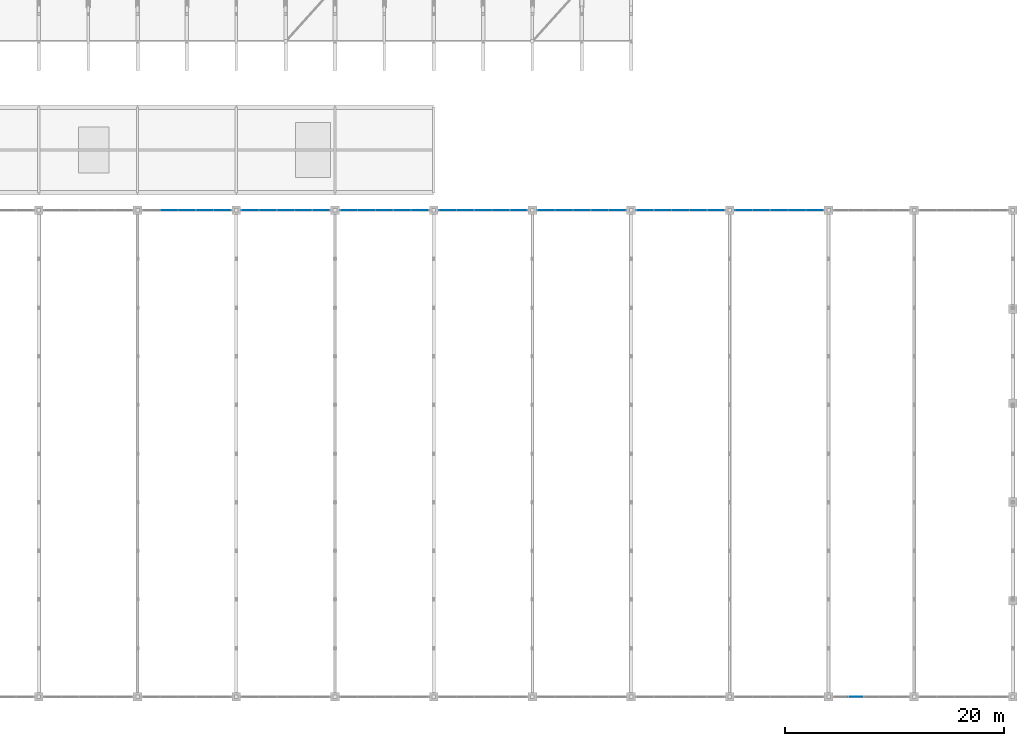
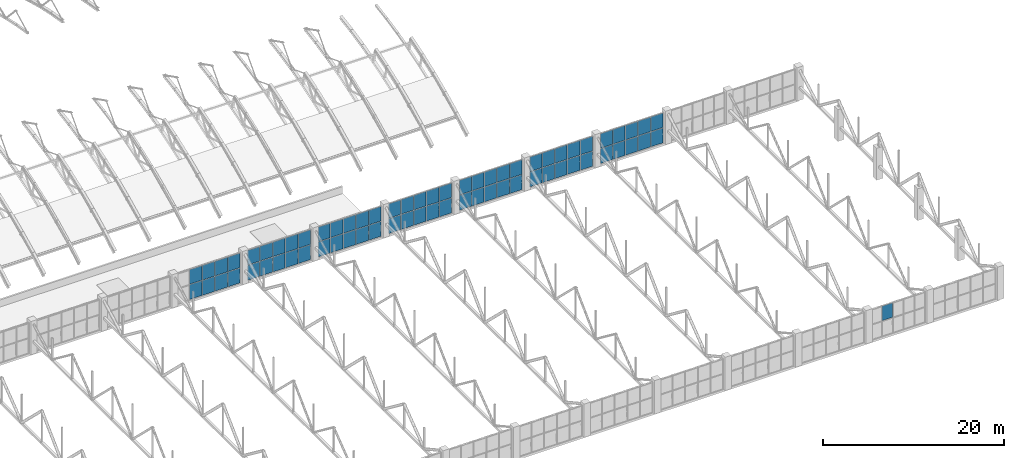
# One storey, part 78 of 103: 69 plates, 8 elements without a shape of their own.
"""IFC4 building model written with IfcOpenShell, lengths in metres."""

from ifc_helpers import new_model, si_unit, direction, frame, origin, origin_2d, place, context, subcontext, project, spatial, rectangle, extrude, material, layer, layer_set, type_object, element, aggregate, save


model = new_model("IFC4")

# Units and contexts
model_context = context("Model", 3, precision=1e-05, world=origin(), true_north=direction((0.0, 1.0)))
body_context = subcontext(model_context, "Body", "Model", "MODEL_VIEW")
ifc_project = project(units=[si_unit("LENGTHUNIT", "METRE"), si_unit("AREAUNIT", "SQUARE_METRE"), si_unit("VOLUMEUNIT", "CUBIC_METRE"), si_unit("PLANEANGLEUNIT", "RADIAN"), si_unit("MASSUNIT", "GRAM", prefix="KILO")], contexts=[model_context])

# Site, building, storey
site_placement = place(None, origin())
site = spatial("IfcSite", under=ifc_project, at=site_placement, CompositionType="ELEMENT")
building_placement = place(site_placement, origin())
building = spatial("IfcBuilding", under=site, at=building_placement, Name="Cazmaro Siding Exhibition Halls", CompositionType="ELEMENT")
storey_placement = place(building_placement, frame((0.0, 0.0, 16.5)))
storey = spatial("IfcBuildingStorey", under=building, at=storey_placement, Name="L03", CompositionType="ELEMENT", Elevation=16.5)

# Curtain wall, plates
ifc_material_1 = material(Name="Anodized Bronze Aluminum and Solar-Control Low-E Glazing", Category="aluminium")
ifc_layer_1 = layer(ifc_material_1, 0.159912109375)
ifc_layer_set_1 = layer_set([ifc_layer_1], Name="Anodized Bronze Aluminum and Solar-Control Low-E Glazing")
curtain_wall_type = type_object("IfcCurtainWallType", Name="CWS-04", PredefinedType="USERDEFINED", material=ifc_layer_set_1)
curtain_wall_1_placement = place(storey_placement, origin())
curtain_wall_1 = element("IfcCurtainWall", 1, at=curtain_wall_1_placement, inside=storey, type_object=curtain_wall_type, Name="Clerestory Curtain Wall CWS-04 CW-093", ObjectType="CLERESTORY CURTAIN WALL", PredefinedType="USERDEFINED")
ifc_material_2 = material(Name="Solar-Control Low-E Double Insulating Glass", Category="glass")
ifc_layer_2 = layer(ifc_material_2, 0.028076171875)
ifc_layer_set_2 = layer_set([ifc_layer_2], Name="Solar-Control Low-E Double Insulating Glass")
plate_type = type_object("IfcPlateType", Name="CWP-04", PredefinedType="CURTAIN_PANEL", material=ifc_layer_set_2)
plate_1_placement = place(storey_placement, frame((133.72900390625, 53.60009765625, 0.06005859375), z_axis=(0.0, 0.0, 1.0), x_axis=(-1.0, 0.0, 0.0)))
plate_1 = element("IfcPlate", 2, at=plate_1_placement, type_object=plate_type, Name="CWS-04 panel 1.1", PredefinedType="CURTAIN_PANEL", context=body_context, shape_type="SweptSolid", body=[
    extrude(rectangle(XDim=1.531982421875, YDim=0.028076171875, at=origin_2d()), origin(), (0.0, 0.0, 1.0), 2.010009765625),
])
plate_2_placement = place(storey_placement, frame((133.72900390625, 53.60009765625, 2.130126953125), z_axis=(0.0, 0.0, 1.0), x_axis=(-1.0, 0.0, 0.0)))
plate_2 = element("IfcPlate", 3, at=plate_2_placement, type_object=plate_type, Name="CWS-04 panel 1.2", PredefinedType="CURTAIN_PANEL", context=body_context, shape_type="SweptSolid", body=[
    extrude(rectangle(XDim=1.531982421875, YDim=0.028076171875, at=origin_2d()), origin(), (0.0, 0.0, 1.0), 1.9599609375),
])
plate_3_placement = place(storey_placement, frame((132.1220703125, 53.60009765625, 0.06005859375), z_axis=(0.0, 0.0, 1.0), x_axis=(-1.0, 0.0, 0.0)))
plate_3 = element("IfcPlate", 4, at=plate_3_placement, type_object=plate_type, Name="CWS-04 panel 2.1", PredefinedType="CURTAIN_PANEL", context=body_context, shape_type="SweptSolid", body=[
    extrude(rectangle(XDim=1.56201171875, YDim=0.028076171875, at=origin_2d()), origin(), (0.0, 0.0, 1.0), 2.010009765625),
])
plate_4_placement = place(storey_placement, frame((132.1220703125, 53.60009765625, 2.130126953125), z_axis=(0.0, 0.0, 1.0), x_axis=(-1.0, 0.0, 0.0)))
plate_4 = element("IfcPlate", 5, at=plate_4_placement, type_object=plate_type, Name="CWS-04 panel 2.2", PredefinedType="CURTAIN_PANEL", context=body_context, shape_type="SweptSolid", body=[
    extrude(rectangle(XDim=1.56201171875, YDim=0.028076171875, at=origin_2d()), origin(), (0.0, 0.0, 1.0), 1.9599609375),
])
plate_5_placement = place(storey_placement, frame((130.5, 53.60009765625, 0.06005859375), z_axis=(0.0, 0.0, 1.0), x_axis=(-1.0, 0.0, 0.0)))
plate_5 = element("IfcPlate", 6, at=plate_5_placement, type_object=plate_type, Name="CWS-04 panel 3.1", PredefinedType="CURTAIN_PANEL", context=body_context, shape_type="SweptSolid", body=[
    extrude(rectangle(XDim=1.56201171875, YDim=0.028076171875, at=origin_2d()), origin(), (0.0, 0.0, 1.0), 2.010009765625),
])
plate_6_placement = place(storey_placement, frame((130.5, 53.60009765625, 2.130126953125), z_axis=(0.0, 0.0, 1.0), x_axis=(-1.0, 0.0, 0.0)))
plate_6 = element("IfcPlate", 7, at=plate_6_placement, type_object=plate_type, Name="CWS-04 panel 3.2", PredefinedType="CURTAIN_PANEL", context=body_context, shape_type="SweptSolid", body=[
    extrude(rectangle(XDim=1.56201171875, YDim=0.028076171875, at=origin_2d()), origin(), (0.0, 0.0, 1.0), 1.9599609375),
])
plate_7_placement = place(storey_placement, frame((128.8779296875, 53.60009765625, 0.06005859375), z_axis=(0.0, 0.0, 1.0), x_axis=(-1.0, 0.0, 0.0)))
plate_7 = element("IfcPlate", 8, at=plate_7_placement, type_object=plate_type, Name="CWS-04 panel 4.1", PredefinedType="CURTAIN_PANEL", context=body_context, shape_type="SweptSolid", body=[
    extrude(rectangle(XDim=1.56201171875, YDim=0.028076171875, at=origin_2d()), origin(), (0.0, 0.0, 1.0), 2.010009765625),
])
plate_8_placement = place(storey_placement, frame((128.8779296875, 53.60009765625, 2.130126953125), z_axis=(0.0, 0.0, 1.0), x_axis=(-1.0, 0.0, 0.0)))
plate_8 = element("IfcPlate", 9, at=plate_8_placement, type_object=plate_type, Name="CWS-04 panel 4.2", PredefinedType="CURTAIN_PANEL", context=body_context, shape_type="SweptSolid", body=[
    extrude(rectangle(XDim=1.56201171875, YDim=0.028076171875, at=origin_2d()), origin(), (0.0, 0.0, 1.0), 1.9599609375),
])
aggregate(curtain_wall_1, [plate_1, plate_2, plate_3, plate_4, plate_5, plate_6, plate_7, plate_8])

curtain_wall_2_placement = place(storey_placement, origin())
curtain_wall_2 = element("IfcCurtainWall", 10, at=curtain_wall_2_placement, inside=storey, type_object=curtain_wall_type, Name="Clerestory Curtain Wall CWS-04 CW-095", ObjectType="CLERESTORY CURTAIN WALL", PredefinedType="USERDEFINED")
plate_9_placement = place(storey_placement, frame((142.72900390625, 53.60009765625, 0.06005859375), z_axis=(0.0, 0.0, 1.0), x_axis=(-1.0, 0.0, 0.0)))
plate_9 = element("IfcPlate", 11, at=plate_9_placement, type_object=plate_type, Name="CWS-04 panel 1.1", PredefinedType="CURTAIN_PANEL", context=body_context, shape_type="SweptSolid", body=[
    extrude(rectangle(XDim=1.531982421875, YDim=0.028076171875, at=origin_2d()), origin(), (0.0, 0.0, 1.0), 2.010009765625),
])
plate_10_placement = place(storey_placement, frame((142.72900390625, 53.60009765625, 2.130126953125), z_axis=(0.0, 0.0, 1.0), x_axis=(-1.0, 0.0, 0.0)))
plate_10 = element("IfcPlate", 12, at=plate_10_placement, type_object=plate_type, Name="CWS-04 panel 1.2", PredefinedType="CURTAIN_PANEL", context=body_context, shape_type="SweptSolid", body=[
    extrude(rectangle(XDim=1.531982421875, YDim=0.028076171875, at=origin_2d()), origin(), (0.0, 0.0, 1.0), 1.9599609375),
])
plate_11_placement = place(storey_placement, frame((141.1220703125, 53.60009765625, 0.06005859375), z_axis=(0.0, 0.0, 1.0), x_axis=(-1.0, 0.0, 0.0)))
plate_11 = element("IfcPlate", 13, at=plate_11_placement, type_object=plate_type, Name="CWS-04 panel 2.1", PredefinedType="CURTAIN_PANEL", context=body_context, shape_type="SweptSolid", body=[
    extrude(rectangle(XDim=1.56201171875, YDim=0.028076171875, at=origin_2d()), origin(), (0.0, 0.0, 1.0), 2.010009765625),
])
plate_12_placement = place(storey_placement, frame((141.1220703125, 53.60009765625, 2.130126953125), z_axis=(0.0, 0.0, 1.0), x_axis=(-1.0, 0.0, 0.0)))
plate_12 = element("IfcPlate", 14, at=plate_12_placement, type_object=plate_type, Name="CWS-04 panel 2.2", PredefinedType="CURTAIN_PANEL", context=body_context, shape_type="SweptSolid", body=[
    extrude(rectangle(XDim=1.56201171875, YDim=0.028076171875, at=origin_2d()), origin(), (0.0, 0.0, 1.0), 1.9599609375),
])
plate_13_placement = place(storey_placement, frame((139.5, 53.60009765625, 0.06005859375), z_axis=(0.0, 0.0, 1.0), x_axis=(-1.0, 0.0, 0.0)))
plate_13 = element("IfcPlate", 15, at=plate_13_placement, type_object=plate_type, Name="CWS-04 panel 3.1", PredefinedType="CURTAIN_PANEL", context=body_context, shape_type="SweptSolid", body=[
    extrude(rectangle(XDim=1.56201171875, YDim=0.028076171875, at=origin_2d()), origin(), (0.0, 0.0, 1.0), 2.010009765625),
])
plate_14_placement = place(storey_placement, frame((139.5, 53.60009765625, 2.130126953125), z_axis=(0.0, 0.0, 1.0), x_axis=(-1.0, 0.0, 0.0)))
plate_14 = element("IfcPlate", 16, at=plate_14_placement, type_object=plate_type, Name="CWS-04 panel 3.2", PredefinedType="CURTAIN_PANEL", context=body_context, shape_type="SweptSolid", body=[
    extrude(rectangle(XDim=1.56201171875, YDim=0.028076171875, at=origin_2d()), origin(), (0.0, 0.0, 1.0), 1.9599609375),
])
plate_15_placement = place(storey_placement, frame((137.8779296875, 53.60009765625, 0.06005859375), z_axis=(0.0, 0.0, 1.0), x_axis=(-1.0, 0.0, 0.0)))
plate_15 = element("IfcPlate", 17, at=plate_15_placement, type_object=plate_type, Name="CWS-04 panel 4.1", PredefinedType="CURTAIN_PANEL", context=body_context, shape_type="SweptSolid", body=[
    extrude(rectangle(XDim=1.56201171875, YDim=0.028076171875, at=origin_2d()), origin(), (0.0, 0.0, 1.0), 2.010009765625),
])
plate_16_placement = place(storey_placement, frame((137.8779296875, 53.60009765625, 2.130126953125), z_axis=(0.0, 0.0, 1.0), x_axis=(-1.0, 0.0, 0.0)))
plate_16 = element("IfcPlate", 18, at=plate_16_placement, type_object=plate_type, Name="CWS-04 panel 4.2", PredefinedType="CURTAIN_PANEL", context=body_context, shape_type="SweptSolid", body=[
    extrude(rectangle(XDim=1.56201171875, YDim=0.028076171875, at=origin_2d()), origin(), (0.0, 0.0, 1.0), 1.9599609375),
])
plate_17_placement = place(storey_placement, frame((136.27099609375, 53.60009765625, 0.06005859375), z_axis=(0.0, 0.0, 1.0), x_axis=(-1.0, 0.0, 0.0)))
plate_17 = element("IfcPlate", 19, at=plate_17_placement, type_object=plate_type, Name="CWS-04 panel 5.1", PredefinedType="CURTAIN_PANEL", context=body_context, shape_type="SweptSolid", body=[
    extrude(rectangle(XDim=1.531982421875, YDim=0.028076171875, at=origin_2d()), origin(), (0.0, 0.0, 1.0), 2.010009765625),
])
plate_18_placement = place(storey_placement, frame((136.27099609375, 53.60009765625, 2.130126953125), z_axis=(0.0, 0.0, 1.0), x_axis=(-1.0, 0.0, 0.0)))
plate_18 = element("IfcPlate", 20, at=plate_18_placement, type_object=plate_type, Name="CWS-04 panel 5.2", PredefinedType="CURTAIN_PANEL", context=body_context, shape_type="SweptSolid", body=[
    extrude(rectangle(XDim=1.531982421875, YDim=0.028076171875, at=origin_2d()), origin(), (0.0, 0.0, 1.0), 1.9599609375),
])
aggregate(curtain_wall_2, [plate_9, plate_10, plate_11, plate_12, plate_13, plate_14, plate_15, plate_16, plate_17, plate_18])

curtain_wall_3_placement = place(storey_placement, origin())
curtain_wall_3 = element("IfcCurtainWall", 21, at=curtain_wall_3_placement, inside=storey, type_object=curtain_wall_type, Name="Clerestory Curtain Wall CWS-04 CW-097", ObjectType="CLERESTORY CURTAIN WALL", PredefinedType="USERDEFINED")
plate_19_placement = place(storey_placement, frame((151.72900390625, 53.60009765625, 0.06005859375), z_axis=(0.0, 0.0, 1.0), x_axis=(-1.0, 0.0, 0.0)))
plate_19 = element("IfcPlate", 22, at=plate_19_placement, type_object=plate_type, Name="CWS-04 panel 1.1", PredefinedType="CURTAIN_PANEL", context=body_context, shape_type="SweptSolid", body=[
    extrude(rectangle(XDim=1.531982421875, YDim=0.028076171875, at=origin_2d()), origin(), (0.0, 0.0, 1.0), 2.010009765625),
])
plate_20_placement = place(storey_placement, frame((151.72900390625, 53.60009765625, 2.130126953125), z_axis=(0.0, 0.0, 1.0), x_axis=(-1.0, 0.0, 0.0)))
plate_20 = element("IfcPlate", 23, at=plate_20_placement, type_object=plate_type, Name="CWS-04 panel 1.2", PredefinedType="CURTAIN_PANEL", context=body_context, shape_type="SweptSolid", body=[
    extrude(rectangle(XDim=1.531982421875, YDim=0.028076171875, at=origin_2d()), origin(), (0.0, 0.0, 1.0), 1.9599609375),
])
plate_21_placement = place(storey_placement, frame((150.1220703125, 53.60009765625, 0.06005859375), z_axis=(0.0, 0.0, 1.0), x_axis=(-1.0, 0.0, 0.0)))
plate_21 = element("IfcPlate", 24, at=plate_21_placement, type_object=plate_type, Name="CWS-04 panel 2.1", PredefinedType="CURTAIN_PANEL", context=body_context, shape_type="SweptSolid", body=[
    extrude(rectangle(XDim=1.56201171875, YDim=0.028076171875, at=origin_2d()), origin(), (0.0, 0.0, 1.0), 2.010009765625),
])
plate_22_placement = place(storey_placement, frame((150.1220703125, 53.60009765625, 2.130126953125), z_axis=(0.0, 0.0, 1.0), x_axis=(-1.0, 0.0, 0.0)))
plate_22 = element("IfcPlate", 25, at=plate_22_placement, type_object=plate_type, Name="CWS-04 panel 2.2", PredefinedType="CURTAIN_PANEL", context=body_context, shape_type="SweptSolid", body=[
    extrude(rectangle(XDim=1.56201171875, YDim=0.028076171875, at=origin_2d()), origin(), (0.0, 0.0, 1.0), 1.9599609375),
])
plate_23_placement = place(storey_placement, frame((148.5, 53.60009765625, 0.06005859375), z_axis=(0.0, 0.0, 1.0), x_axis=(-1.0, 0.0, 0.0)))
plate_23 = element("IfcPlate", 26, at=plate_23_placement, type_object=plate_type, Name="CWS-04 panel 3.1", PredefinedType="CURTAIN_PANEL", context=body_context, shape_type="SweptSolid", body=[
    extrude(rectangle(XDim=1.56201171875, YDim=0.028076171875, at=origin_2d()), origin(), (0.0, 0.0, 1.0), 2.010009765625),
])
plate_24_placement = place(storey_placement, frame((148.5, 53.60009765625, 2.130126953125), z_axis=(0.0, 0.0, 1.0), x_axis=(-1.0, 0.0, 0.0)))
plate_24 = element("IfcPlate", 27, at=plate_24_placement, type_object=plate_type, Name="CWS-04 panel 3.2", PredefinedType="CURTAIN_PANEL", context=body_context, shape_type="SweptSolid", body=[
    extrude(rectangle(XDim=1.56201171875, YDim=0.028076171875, at=origin_2d()), origin(), (0.0, 0.0, 1.0), 1.9599609375),
])
plate_25_placement = place(storey_placement, frame((146.8779296875, 53.60009765625, 0.06005859375), z_axis=(0.0, 0.0, 1.0), x_axis=(-1.0, 0.0, 0.0)))
plate_25 = element("IfcPlate", 28, at=plate_25_placement, type_object=plate_type, Name="CWS-04 panel 4.1", PredefinedType="CURTAIN_PANEL", context=body_context, shape_type="SweptSolid", body=[
    extrude(rectangle(XDim=1.56201171875, YDim=0.028076171875, at=origin_2d()), origin(), (0.0, 0.0, 1.0), 2.010009765625),
])
plate_26_placement = place(storey_placement, frame((146.8779296875, 53.60009765625, 2.130126953125), z_axis=(0.0, 0.0, 1.0), x_axis=(-1.0, 0.0, 0.0)))
plate_26 = element("IfcPlate", 29, at=plate_26_placement, type_object=plate_type, Name="CWS-04 panel 4.2", PredefinedType="CURTAIN_PANEL", context=body_context, shape_type="SweptSolid", body=[
    extrude(rectangle(XDim=1.56201171875, YDim=0.028076171875, at=origin_2d()), origin(), (0.0, 0.0, 1.0), 1.9599609375),
])
plate_27_placement = place(storey_placement, frame((145.27099609375, 53.60009765625, 0.06005859375), z_axis=(0.0, 0.0, 1.0), x_axis=(-1.0, 0.0, 0.0)))
plate_27 = element("IfcPlate", 30, at=plate_27_placement, type_object=plate_type, Name="CWS-04 panel 5.1", PredefinedType="CURTAIN_PANEL", context=body_context, shape_type="SweptSolid", body=[
    extrude(rectangle(XDim=1.531982421875, YDim=0.028076171875, at=origin_2d()), origin(), (0.0, 0.0, 1.0), 2.010009765625),
])
plate_28_placement = place(storey_placement, frame((145.27099609375, 53.60009765625, 2.130126953125), z_axis=(0.0, 0.0, 1.0), x_axis=(-1.0, 0.0, 0.0)))
plate_28 = element("IfcPlate", 31, at=plate_28_placement, type_object=plate_type, Name="CWS-04 panel 5.2", PredefinedType="CURTAIN_PANEL", context=body_context, shape_type="SweptSolid", body=[
    extrude(rectangle(XDim=1.531982421875, YDim=0.028076171875, at=origin_2d()), origin(), (0.0, 0.0, 1.0), 1.9599609375),
])
aggregate(curtain_wall_3, [plate_19, plate_20, plate_21, plate_22, plate_23, plate_24, plate_25, plate_26, plate_27, plate_28])

curtain_wall_4_placement = place(storey_placement, origin())
curtain_wall_4 = element("IfcCurtainWall", 32, at=curtain_wall_4_placement, inside=storey, type_object=curtain_wall_type, Name="Clerestory Curtain Wall CWS-04 CW-099", ObjectType="CLERESTORY CURTAIN WALL", PredefinedType="USERDEFINED")
plate_29_placement = place(storey_placement, frame((160.72900390625, 53.60009765625, 0.06005859375), z_axis=(0.0, 0.0, 1.0), x_axis=(-1.0, 0.0, 0.0)))
plate_29 = element("IfcPlate", 33, at=plate_29_placement, type_object=plate_type, Name="CWS-04 panel 1.1", PredefinedType="CURTAIN_PANEL", context=body_context, shape_type="SweptSolid", body=[
    extrude(rectangle(XDim=1.531982421875, YDim=0.028076171875, at=origin_2d()), origin(), (0.0, 0.0, 1.0), 2.010009765625),
])
plate_30_placement = place(storey_placement, frame((160.72900390625, 53.60009765625, 2.130126953125), z_axis=(0.0, 0.0, 1.0), x_axis=(-1.0, 0.0, 0.0)))
plate_30 = element("IfcPlate", 34, at=plate_30_placement, type_object=plate_type, Name="CWS-04 panel 1.2", PredefinedType="CURTAIN_PANEL", context=body_context, shape_type="SweptSolid", body=[
    extrude(rectangle(XDim=1.531982421875, YDim=0.028076171875, at=origin_2d()), origin(), (0.0, 0.0, 1.0), 1.9599609375),
])
plate_31_placement = place(storey_placement, frame((159.1220703125, 53.60009765625, 0.06005859375), z_axis=(0.0, 0.0, 1.0), x_axis=(-1.0, 0.0, 0.0)))
plate_31 = element("IfcPlate", 35, at=plate_31_placement, type_object=plate_type, Name="CWS-04 panel 2.1", PredefinedType="CURTAIN_PANEL", context=body_context, shape_type="SweptSolid", body=[
    extrude(rectangle(XDim=1.56201171875, YDim=0.028076171875, at=origin_2d()), origin(), (0.0, 0.0, 1.0), 2.010009765625),
])
plate_32_placement = place(storey_placement, frame((159.1220703125, 53.60009765625, 2.130126953125), z_axis=(0.0, 0.0, 1.0), x_axis=(-1.0, 0.0, 0.0)))
plate_32 = element("IfcPlate", 36, at=plate_32_placement, type_object=plate_type, Name="CWS-04 panel 2.2", PredefinedType="CURTAIN_PANEL", context=body_context, shape_type="SweptSolid", body=[
    extrude(rectangle(XDim=1.56201171875, YDim=0.028076171875, at=origin_2d()), origin(), (0.0, 0.0, 1.0), 1.9599609375),
])
plate_33_placement = place(storey_placement, frame((157.5, 53.60009765625, 0.06005859375), z_axis=(0.0, 0.0, 1.0), x_axis=(-1.0, 0.0, 0.0)))
plate_33 = element("IfcPlate", 37, at=plate_33_placement, type_object=plate_type, Name="CWS-04 panel 3.1", PredefinedType="CURTAIN_PANEL", context=body_context, shape_type="SweptSolid", body=[
    extrude(rectangle(XDim=1.56201171875, YDim=0.028076171875, at=origin_2d()), origin(), (0.0, 0.0, 1.0), 2.010009765625),
])
plate_34_placement = place(storey_placement, frame((157.5, 53.60009765625, 2.130126953125), z_axis=(0.0, 0.0, 1.0), x_axis=(-1.0, 0.0, 0.0)))
plate_34 = element("IfcPlate", 38, at=plate_34_placement, type_object=plate_type, Name="CWS-04 panel 3.2", PredefinedType="CURTAIN_PANEL", context=body_context, shape_type="SweptSolid", body=[
    extrude(rectangle(XDim=1.56201171875, YDim=0.028076171875, at=origin_2d()), origin(), (0.0, 0.0, 1.0), 1.9599609375),
])
plate_35_placement = place(storey_placement, frame((155.8779296875, 53.60009765625, 0.06005859375), z_axis=(0.0, 0.0, 1.0), x_axis=(-1.0, 0.0, 0.0)))
plate_35 = element("IfcPlate", 39, at=plate_35_placement, type_object=plate_type, Name="CWS-04 panel 4.1", PredefinedType="CURTAIN_PANEL", context=body_context, shape_type="SweptSolid", body=[
    extrude(rectangle(XDim=1.56201171875, YDim=0.028076171875, at=origin_2d()), origin(), (0.0, 0.0, 1.0), 2.010009765625),
])
plate_36_placement = place(storey_placement, frame((155.8779296875, 53.60009765625, 2.130126953125), z_axis=(0.0, 0.0, 1.0), x_axis=(-1.0, 0.0, 0.0)))
plate_36 = element("IfcPlate", 40, at=plate_36_placement, type_object=plate_type, Name="CWS-04 panel 4.2", PredefinedType="CURTAIN_PANEL", context=body_context, shape_type="SweptSolid", body=[
    extrude(rectangle(XDim=1.56201171875, YDim=0.028076171875, at=origin_2d()), origin(), (0.0, 0.0, 1.0), 1.9599609375),
])
plate_37_placement = place(storey_placement, frame((154.27099609375, 53.60009765625, 0.06005859375), z_axis=(0.0, 0.0, 1.0), x_axis=(-1.0, 0.0, 0.0)))
plate_37 = element("IfcPlate", 41, at=plate_37_placement, type_object=plate_type, Name="CWS-04 panel 5.1", PredefinedType="CURTAIN_PANEL", context=body_context, shape_type="SweptSolid", body=[
    extrude(rectangle(XDim=1.531982421875, YDim=0.028076171875, at=origin_2d()), origin(), (0.0, 0.0, 1.0), 2.010009765625),
])
plate_38_placement = place(storey_placement, frame((154.27099609375, 53.60009765625, 2.130126953125), z_axis=(0.0, 0.0, 1.0), x_axis=(-1.0, 0.0, 0.0)))
plate_38 = element("IfcPlate", 42, at=plate_38_placement, type_object=plate_type, Name="CWS-04 panel 5.2", PredefinedType="CURTAIN_PANEL", context=body_context, shape_type="SweptSolid", body=[
    extrude(rectangle(XDim=1.531982421875, YDim=0.028076171875, at=origin_2d()), origin(), (0.0, 0.0, 1.0), 1.9599609375),
])
aggregate(curtain_wall_4, [plate_29, plate_30, plate_31, plate_32, plate_33, plate_34, plate_35, plate_36, plate_37, plate_38])

curtain_wall_5_placement = place(storey_placement, origin())
curtain_wall_5 = element("IfcCurtainWall", 43, at=curtain_wall_5_placement, inside=storey, type_object=curtain_wall_type, Name="Clerestory Curtain Wall CWS-04 CW-101", ObjectType="CLERESTORY CURTAIN WALL", PredefinedType="USERDEFINED")
plate_39_placement = place(storey_placement, frame((169.72900390625, 53.60009765625, 0.06005859375), z_axis=(0.0, 0.0, 1.0), x_axis=(-1.0, 0.0, 0.0)))
plate_39 = element("IfcPlate", 44, at=plate_39_placement, type_object=plate_type, Name="CWS-04 panel 1.1", PredefinedType="CURTAIN_PANEL", context=body_context, shape_type="SweptSolid", body=[
    extrude(rectangle(XDim=1.531982421875, YDim=0.028076171875, at=origin_2d()), origin(), (0.0, 0.0, 1.0), 2.010009765625),
])
plate_40_placement = place(storey_placement, frame((169.72900390625, 53.60009765625, 2.130126953125), z_axis=(0.0, 0.0, 1.0), x_axis=(-1.0, 0.0, 0.0)))
plate_40 = element("IfcPlate", 45, at=plate_40_placement, type_object=plate_type, Name="CWS-04 panel 1.2", PredefinedType="CURTAIN_PANEL", context=body_context, shape_type="SweptSolid", body=[
    extrude(rectangle(XDim=1.531982421875, YDim=0.028076171875, at=origin_2d()), origin(), (0.0, 0.0, 1.0), 1.9599609375),
])
plate_41_placement = place(storey_placement, frame((168.1220703125, 53.60009765625, 0.06005859375), z_axis=(0.0, 0.0, 1.0), x_axis=(-1.0, 0.0, 0.0)))
plate_41 = element("IfcPlate", 46, at=plate_41_placement, type_object=plate_type, Name="CWS-04 panel 2.1", PredefinedType="CURTAIN_PANEL", context=body_context, shape_type="SweptSolid", body=[
    extrude(rectangle(XDim=1.56201171875, YDim=0.028076171875, at=origin_2d()), origin(), (0.0, 0.0, 1.0), 2.010009765625),
])
plate_42_placement = place(storey_placement, frame((168.1220703125, 53.60009765625, 2.130126953125), z_axis=(0.0, 0.0, 1.0), x_axis=(-1.0, 0.0, 0.0)))
plate_42 = element("IfcPlate", 47, at=plate_42_placement, type_object=plate_type, Name="CWS-04 panel 2.2", PredefinedType="CURTAIN_PANEL", context=body_context, shape_type="SweptSolid", body=[
    extrude(rectangle(XDim=1.56201171875, YDim=0.028076171875, at=origin_2d()), origin(), (0.0, 0.0, 1.0), 1.9599609375),
])
plate_43_placement = place(storey_placement, frame((166.5, 53.60009765625, 0.06005859375), z_axis=(0.0, 0.0, 1.0), x_axis=(-1.0, 0.0, 0.0)))
plate_43 = element("IfcPlate", 48, at=plate_43_placement, type_object=plate_type, Name="CWS-04 panel 3.1", PredefinedType="CURTAIN_PANEL", context=body_context, shape_type="SweptSolid", body=[
    extrude(rectangle(XDim=1.56201171875, YDim=0.028076171875, at=origin_2d()), origin(), (0.0, 0.0, 1.0), 2.010009765625),
])
plate_44_placement = place(storey_placement, frame((166.5, 53.60009765625, 2.130126953125), z_axis=(0.0, 0.0, 1.0), x_axis=(-1.0, 0.0, 0.0)))
plate_44 = element("IfcPlate", 49, at=plate_44_placement, type_object=plate_type, Name="CWS-04 panel 3.2", PredefinedType="CURTAIN_PANEL", context=body_context, shape_type="SweptSolid", body=[
    extrude(rectangle(XDim=1.56201171875, YDim=0.028076171875, at=origin_2d()), origin(), (0.0, 0.0, 1.0), 1.9599609375),
])
plate_45_placement = place(storey_placement, frame((164.8779296875, 53.60009765625, 0.06005859375), z_axis=(0.0, 0.0, 1.0), x_axis=(-1.0, 0.0, 0.0)))
plate_45 = element("IfcPlate", 50, at=plate_45_placement, type_object=plate_type, Name="CWS-04 panel 4.1", PredefinedType="CURTAIN_PANEL", context=body_context, shape_type="SweptSolid", body=[
    extrude(rectangle(XDim=1.56201171875, YDim=0.028076171875, at=origin_2d()), origin(), (0.0, 0.0, 1.0), 2.010009765625),
])
plate_46_placement = place(storey_placement, frame((164.8779296875, 53.60009765625, 2.130126953125), z_axis=(0.0, 0.0, 1.0), x_axis=(-1.0, 0.0, 0.0)))
plate_46 = element("IfcPlate", 51, at=plate_46_placement, type_object=plate_type, Name="CWS-04 panel 4.2", PredefinedType="CURTAIN_PANEL", context=body_context, shape_type="SweptSolid", body=[
    extrude(rectangle(XDim=1.56201171875, YDim=0.028076171875, at=origin_2d()), origin(), (0.0, 0.0, 1.0), 1.9599609375),
])
plate_47_placement = place(storey_placement, frame((163.27099609375, 53.60009765625, 0.06005859375), z_axis=(0.0, 0.0, 1.0), x_axis=(-1.0, 0.0, 0.0)))
plate_47 = element("IfcPlate", 52, at=plate_47_placement, type_object=plate_type, Name="CWS-04 panel 5.1", PredefinedType="CURTAIN_PANEL", context=body_context, shape_type="SweptSolid", body=[
    extrude(rectangle(XDim=1.531982421875, YDim=0.028076171875, at=origin_2d()), origin(), (0.0, 0.0, 1.0), 2.010009765625),
])
plate_48_placement = place(storey_placement, frame((163.27099609375, 53.60009765625, 2.130126953125), z_axis=(0.0, 0.0, 1.0), x_axis=(-1.0, 0.0, 0.0)))
plate_48 = element("IfcPlate", 53, at=plate_48_placement, type_object=plate_type, Name="CWS-04 panel 5.2", PredefinedType="CURTAIN_PANEL", context=body_context, shape_type="SweptSolid", body=[
    extrude(rectangle(XDim=1.531982421875, YDim=0.028076171875, at=origin_2d()), origin(), (0.0, 0.0, 1.0), 1.9599609375),
])
aggregate(curtain_wall_5, [plate_39, plate_40, plate_41, plate_42, plate_43, plate_44, plate_45, plate_46, plate_47, plate_48])

curtain_wall_6_placement = place(storey_placement, origin())
curtain_wall_6 = element("IfcCurtainWall", 54, at=curtain_wall_6_placement, inside=storey, type_object=curtain_wall_type, Name="Clerestory Curtain Wall CWS-04 CW-103", ObjectType="CLERESTORY CURTAIN WALL", PredefinedType="USERDEFINED")
plate_49_placement = place(storey_placement, frame((178.72900390625, 53.60009765625, 0.06005859375), z_axis=(0.0, 0.0, 1.0), x_axis=(-1.0, 0.0, 0.0)))
plate_49 = element("IfcPlate", 55, at=plate_49_placement, type_object=plate_type, Name="CWS-04 panel 1.1", PredefinedType="CURTAIN_PANEL", context=body_context, shape_type="SweptSolid", body=[
    extrude(rectangle(XDim=1.531982421875, YDim=0.028076171875, at=origin_2d()), origin(), (0.0, 0.0, 1.0), 2.010009765625),
])
plate_50_placement = place(storey_placement, frame((178.72900390625, 53.60009765625, 2.130126953125), z_axis=(0.0, 0.0, 1.0), x_axis=(-1.0, 0.0, 0.0)))
plate_50 = element("IfcPlate", 56, at=plate_50_placement, type_object=plate_type, Name="CWS-04 panel 1.2", PredefinedType="CURTAIN_PANEL", context=body_context, shape_type="SweptSolid", body=[
    extrude(rectangle(XDim=1.531982421875, YDim=0.028076171875, at=origin_2d()), origin(), (0.0, 0.0, 1.0), 1.9599609375),
])
plate_51_placement = place(storey_placement, frame((177.1220703125, 53.60009765625, 0.06005859375), z_axis=(0.0, 0.0, 1.0), x_axis=(-1.0, 0.0, 0.0)))
plate_51 = element("IfcPlate", 57, at=plate_51_placement, type_object=plate_type, Name="CWS-04 panel 2.1", PredefinedType="CURTAIN_PANEL", context=body_context, shape_type="SweptSolid", body=[
    extrude(rectangle(XDim=1.56201171875, YDim=0.028076171875, at=origin_2d()), origin(), (0.0, 0.0, 1.0), 2.010009765625),
])
plate_52_placement = place(storey_placement, frame((177.1220703125, 53.60009765625, 2.130126953125), z_axis=(0.0, 0.0, 1.0), x_axis=(-1.0, 0.0, 0.0)))
plate_52 = element("IfcPlate", 58, at=plate_52_placement, type_object=plate_type, Name="CWS-04 panel 2.2", PredefinedType="CURTAIN_PANEL", context=body_context, shape_type="SweptSolid", body=[
    extrude(rectangle(XDim=1.56201171875, YDim=0.028076171875, at=origin_2d()), origin(), (0.0, 0.0, 1.0), 1.9599609375),
])
plate_53_placement = place(storey_placement, frame((175.5, 53.60009765625, 0.06005859375), z_axis=(0.0, 0.0, 1.0), x_axis=(-1.0, 0.0, 0.0)))
plate_53 = element("IfcPlate", 59, at=plate_53_placement, type_object=plate_type, Name="CWS-04 panel 3.1", PredefinedType="CURTAIN_PANEL", context=body_context, shape_type="SweptSolid", body=[
    extrude(rectangle(XDim=1.56201171875, YDim=0.028076171875, at=origin_2d()), origin(), (0.0, 0.0, 1.0), 2.010009765625),
])
plate_54_placement = place(storey_placement, frame((175.5, 53.60009765625, 2.130126953125), z_axis=(0.0, 0.0, 1.0), x_axis=(-1.0, 0.0, 0.0)))
plate_54 = element("IfcPlate", 60, at=plate_54_placement, type_object=plate_type, Name="CWS-04 panel 3.2", PredefinedType="CURTAIN_PANEL", context=body_context, shape_type="SweptSolid", body=[
    extrude(rectangle(XDim=1.56201171875, YDim=0.028076171875, at=origin_2d()), origin(), (0.0, 0.0, 1.0), 1.9599609375),
])
plate_55_placement = place(storey_placement, frame((173.8779296875, 53.60009765625, 0.06005859375), z_axis=(0.0, 0.0, 1.0), x_axis=(-1.0, 0.0, 0.0)))
plate_55 = element("IfcPlate", 61, at=plate_55_placement, type_object=plate_type, Name="CWS-04 panel 4.1", PredefinedType="CURTAIN_PANEL", context=body_context, shape_type="SweptSolid", body=[
    extrude(rectangle(XDim=1.56201171875, YDim=0.028076171875, at=origin_2d()), origin(), (0.0, 0.0, 1.0), 2.010009765625),
])
plate_56_placement = place(storey_placement, frame((173.8779296875, 53.60009765625, 2.130126953125), z_axis=(0.0, 0.0, 1.0), x_axis=(-1.0, 0.0, 0.0)))
plate_56 = element("IfcPlate", 62, at=plate_56_placement, type_object=plate_type, Name="CWS-04 panel 4.2", PredefinedType="CURTAIN_PANEL", context=body_context, shape_type="SweptSolid", body=[
    extrude(rectangle(XDim=1.56201171875, YDim=0.028076171875, at=origin_2d()), origin(), (0.0, 0.0, 1.0), 1.9599609375),
])
plate_57_placement = place(storey_placement, frame((172.27099609375, 53.60009765625, 0.06005859375), z_axis=(0.0, 0.0, 1.0), x_axis=(-1.0, 0.0, 0.0)))
plate_57 = element("IfcPlate", 63, at=plate_57_placement, type_object=plate_type, Name="CWS-04 panel 5.1", PredefinedType="CURTAIN_PANEL", context=body_context, shape_type="SweptSolid", body=[
    extrude(rectangle(XDim=1.531982421875, YDim=0.028076171875, at=origin_2d()), origin(), (0.0, 0.0, 1.0), 2.010009765625),
])
plate_58_placement = place(storey_placement, frame((172.27099609375, 53.60009765625, 2.130126953125), z_axis=(0.0, 0.0, 1.0), x_axis=(-1.0, 0.0, 0.0)))
plate_58 = element("IfcPlate", 64, at=plate_58_placement, type_object=plate_type, Name="CWS-04 panel 5.2", PredefinedType="CURTAIN_PANEL", context=body_context, shape_type="SweptSolid", body=[
    extrude(rectangle(XDim=1.531982421875, YDim=0.028076171875, at=origin_2d()), origin(), (0.0, 0.0, 1.0), 1.9599609375),
])
aggregate(curtain_wall_6, [plate_49, plate_50, plate_51, plate_52, plate_53, plate_54, plate_55, plate_56, plate_57, plate_58])

curtain_wall_7_placement = place(storey_placement, origin())
curtain_wall_7 = element("IfcCurtainWall", 65, at=curtain_wall_7_placement, inside=storey, type_object=curtain_wall_type, Name="Clerestory Curtain Wall CWS-04 CW-105", ObjectType="CLERESTORY CURTAIN WALL", PredefinedType="USERDEFINED")
plate_59_placement = place(storey_placement, frame((187.72900390625, 53.60009765625, 0.06005859375), z_axis=(0.0, 0.0, 1.0), x_axis=(-1.0, 0.0, 0.0)))
plate_59 = element("IfcPlate", 66, at=plate_59_placement, type_object=plate_type, Name="CWS-04 panel 1.1", PredefinedType="CURTAIN_PANEL", context=body_context, shape_type="SweptSolid", body=[
    extrude(rectangle(XDim=1.531982421875, YDim=0.028076171875, at=origin_2d()), origin(), (0.0, 0.0, 1.0), 2.010009765625),
])
plate_60_placement = place(storey_placement, frame((187.72900390625, 53.60009765625, 2.130126953125), z_axis=(0.0, 0.0, 1.0), x_axis=(-1.0, 0.0, 0.0)))
plate_60 = element("IfcPlate", 67, at=plate_60_placement, type_object=plate_type, Name="CWS-04 panel 1.2", PredefinedType="CURTAIN_PANEL", context=body_context, shape_type="SweptSolid", body=[
    extrude(rectangle(XDim=1.531982421875, YDim=0.028076171875, at=origin_2d()), origin(), (0.0, 0.0, 1.0), 1.9599609375),
])
plate_61_placement = place(storey_placement, frame((186.1220703125, 53.60009765625, 0.06005859375), z_axis=(0.0, 0.0, 1.0), x_axis=(-1.0, 0.0, 0.0)))
plate_61 = element("IfcPlate", 68, at=plate_61_placement, type_object=plate_type, Name="CWS-04 panel 2.1", PredefinedType="CURTAIN_PANEL", context=body_context, shape_type="SweptSolid", body=[
    extrude(rectangle(XDim=1.56201171875, YDim=0.028076171875, at=origin_2d()), origin(), (0.0, 0.0, 1.0), 2.010009765625),
])
plate_62_placement = place(storey_placement, frame((186.1220703125, 53.60009765625, 2.130126953125), z_axis=(0.0, 0.0, 1.0), x_axis=(-1.0, 0.0, 0.0)))
plate_62 = element("IfcPlate", 69, at=plate_62_placement, type_object=plate_type, Name="CWS-04 panel 2.2", PredefinedType="CURTAIN_PANEL", context=body_context, shape_type="SweptSolid", body=[
    extrude(rectangle(XDim=1.56201171875, YDim=0.028076171875, at=origin_2d()), origin(), (0.0, 0.0, 1.0), 1.9599609375),
])
plate_63_placement = place(storey_placement, frame((184.5, 53.60009765625, 0.06005859375), z_axis=(0.0, 0.0, 1.0), x_axis=(-1.0, 0.0, 0.0)))
plate_63 = element("IfcPlate", 70, at=plate_63_placement, type_object=plate_type, Name="CWS-04 panel 3.1", PredefinedType="CURTAIN_PANEL", context=body_context, shape_type="SweptSolid", body=[
    extrude(rectangle(XDim=1.56201171875, YDim=0.028076171875, at=origin_2d()), origin(), (0.0, 0.0, 1.0), 2.010009765625),
])
plate_64_placement = place(storey_placement, frame((184.5, 53.60009765625, 2.130126953125), z_axis=(0.0, 0.0, 1.0), x_axis=(-1.0, 0.0, 0.0)))
plate_64 = element("IfcPlate", 71, at=plate_64_placement, type_object=plate_type, Name="CWS-04 panel 3.2", PredefinedType="CURTAIN_PANEL", context=body_context, shape_type="SweptSolid", body=[
    extrude(rectangle(XDim=1.56201171875, YDim=0.028076171875, at=origin_2d()), origin(), (0.0, 0.0, 1.0), 1.9599609375),
])
plate_65_placement = place(storey_placement, frame((182.8779296875, 53.60009765625, 0.06005859375), z_axis=(0.0, 0.0, 1.0), x_axis=(-1.0, 0.0, 0.0)))
plate_65 = element("IfcPlate", 72, at=plate_65_placement, type_object=plate_type, Name="CWS-04 panel 4.1", PredefinedType="CURTAIN_PANEL", context=body_context, shape_type="SweptSolid", body=[
    extrude(rectangle(XDim=1.56201171875, YDim=0.028076171875, at=origin_2d()), origin(), (0.0, 0.0, 1.0), 2.010009765625),
])
plate_66_placement = place(storey_placement, frame((182.8779296875, 53.60009765625, 2.130126953125), z_axis=(0.0, 0.0, 1.0), x_axis=(-1.0, 0.0, 0.0)))
plate_66 = element("IfcPlate", 73, at=plate_66_placement, type_object=plate_type, Name="CWS-04 panel 4.2", PredefinedType="CURTAIN_PANEL", context=body_context, shape_type="SweptSolid", body=[
    extrude(rectangle(XDim=1.56201171875, YDim=0.028076171875, at=origin_2d()), origin(), (0.0, 0.0, 1.0), 1.9599609375),
])
plate_67_placement = place(storey_placement, frame((181.27099609375, 53.60009765625, 0.06005859375), z_axis=(0.0, 0.0, 1.0), x_axis=(-1.0, 0.0, 0.0)))
plate_67 = element("IfcPlate", 74, at=plate_67_placement, type_object=plate_type, Name="CWS-04 panel 5.1", PredefinedType="CURTAIN_PANEL", context=body_context, shape_type="SweptSolid", body=[
    extrude(rectangle(XDim=1.531982421875, YDim=0.028076171875, at=origin_2d()), origin(), (0.0, 0.0, 1.0), 2.010009765625),
])
plate_68_placement = place(storey_placement, frame((181.27099609375, 53.60009765625, 2.130126953125), z_axis=(0.0, 0.0, 1.0), x_axis=(-1.0, 0.0, 0.0)))
plate_68 = element("IfcPlate", 75, at=plate_68_placement, type_object=plate_type, Name="CWS-04 panel 5.2", PredefinedType="CURTAIN_PANEL", context=body_context, shape_type="SweptSolid", body=[
    extrude(rectangle(XDim=1.531982421875, YDim=0.028076171875, at=origin_2d()), origin(), (0.0, 0.0, 1.0), 1.9599609375),
])
aggregate(curtain_wall_7, [plate_59, plate_60, plate_61, plate_62, plate_63, plate_64, plate_65, plate_66, plate_67, plate_68])

# Curtain wall, plate
curtain_wall_8_placement = place(storey_placement, origin())
curtain_wall_8 = element("IfcCurtainWall", 76, at=curtain_wall_8_placement, inside=storey, type_object=curtain_wall_type, Name="Clerestory Curtain Wall CWS-04 CW-106", ObjectType="CLERESTORY CURTAIN WALL", PredefinedType="USERDEFINED")
plate_69_placement = place(storey_placement, frame((191.51806640625, 9.25, 2.130126953125), z_axis=(0.0, 0.0, 1.0), x_axis=(1.0, 0.0, 0.0)))
plate_69 = element("IfcPlate", 77, at=plate_69_placement, type_object=plate_type, Name="CWS-04 panel 2.2", PredefinedType="CURTAIN_PANEL", context=body_context, shape_type="SweptSolid", body=[
    extrude(rectangle(XDim=1.322021484375, YDim=0.028076171875, at=origin_2d()), origin(), (0.0, 0.0, 1.0), 1.9599609375),
])
aggregate(curtain_wall_8, [plate_69])

save(model, "model.ifc")
